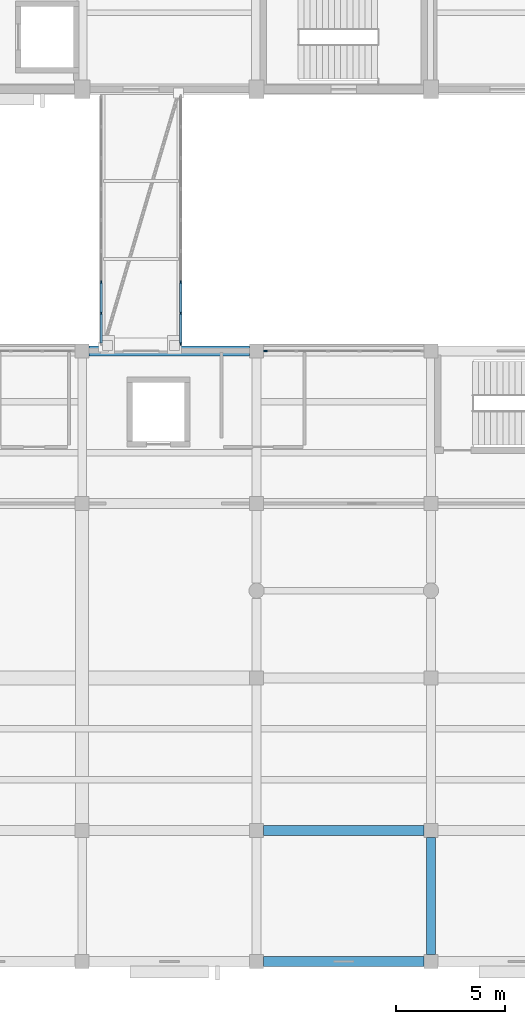
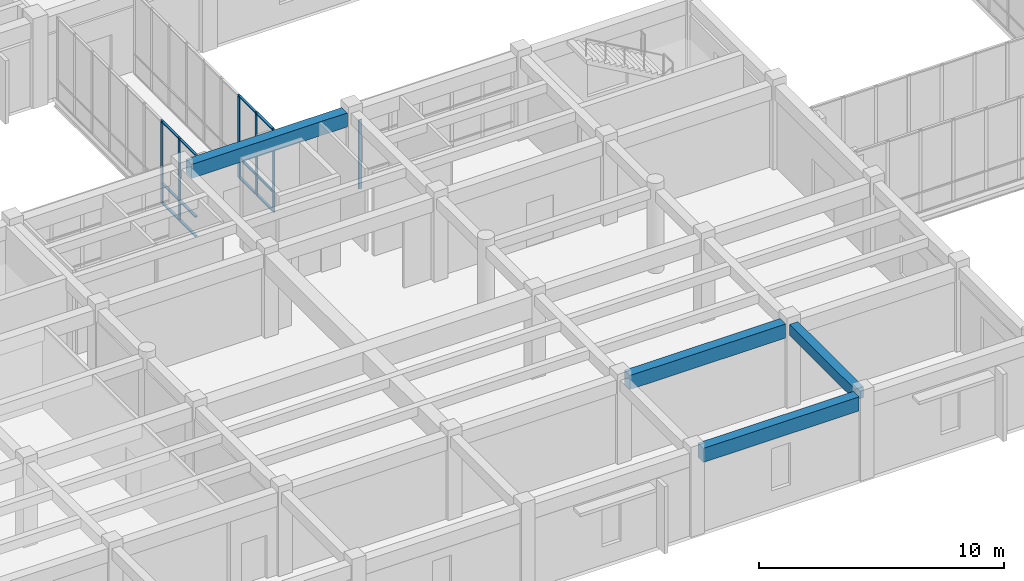
# One storey, part 18 of 70: 18 members, 4 beams, 3 elements without a shape of their own.
"""IFC4 building model written with IfcOpenShell, lengths in metres."""

from ifc_helpers import new_model, si_unit, direction, frame, origin, origin_2d, place, context, subcontext, project, spatial, rectangle, extrude, material, layer, layer_set, material_profile, profile_set, type_object, element, aggregate, save


model = new_model("IFC4")

# Units and contexts
model_context = context("Model", 3, precision=1e-05, world=origin(), true_north=direction((0.0, 1.0)))
body_context = subcontext(model_context, "Body", "Model", "MODEL_VIEW")
ifc_project = project(units=[si_unit("LENGTHUNIT", "METRE"), si_unit("AREAUNIT", "SQUARE_METRE"), si_unit("VOLUMEUNIT", "CUBIC_METRE"), si_unit("PLANEANGLEUNIT", "RADIAN"), si_unit("MASSUNIT", "GRAM", prefix="KILO")], contexts=[model_context])

# Site, building, storey
site_placement = place(None, origin())
site = spatial("IfcSite", under=ifc_project, at=site_placement, CompositionType="ELEMENT")
building_placement = place(site_placement, origin())
building = spatial("IfcBuilding", under=site, at=building_placement, Name="Naurynzar Civic Courthouse", CompositionType="ELEMENT")
storey_placement = place(building_placement, frame((0.0, 0.0, 5.39990234375)))
storey = spatial("IfcBuildingStorey", under=building, at=storey_placement, Name="L02", CompositionType="ELEMENT", Elevation=5.39990234375)

# Beams
ifc_material_1 = material(Name="Concrete C40/50", Category="concrete")
ifc_material_profile_1 = material_profile(ifc_material_1, rectangle(XDim=0.39990234375, YDim=0.550048828125, at=origin_2d()), Name="RCB 400x550")
ifc_profile_set_1 = profile_set([ifc_material_profile_1], Name="Concrete C40/50")
beam_type_1 = type_object("IfcBeamType", Name="BM-RC-400x550", PredefinedType="BEAM", material=ifc_profile_set_1)
beam_placement = place(storey_placement, frame((109.0, 4.324951171875, 3.885009765625), z_axis=(0.0, 1.0, 0.0), x_axis=(-1.0, 0.0, 0.0)))
element("IfcBeam", 1, at=beam_placement, inside=storey, type_object=beam_type_1, Name="V3 girder Y-1391 L02", PredefinedType="BEAM", context=body_context, shape_type="SweptSolid", body=[
    extrude(rectangle(XDim=0.39990234375, YDim=0.550048828125, at=origin_2d()), origin(), (0.0, 0.0, 1.0), 5.35009765625),
])
ifc_material_2 = material(Name="Concrete C40/50", Category="concrete")
ifc_material_profile_2 = material_profile(ifc_material_2, rectangle(XDim=0.449951171875, YDim=0.699951171875, at=origin_2d()), Name="RCB 450x700")
ifc_profile_set_2 = profile_set([ifc_material_profile_2], Name="Concrete C40/50")
beam_type_2 = type_object("IfcBeamType", Name="BM-RC-450x700", PredefinedType="BEAM", material=ifc_profile_set_2)
for number, where, z_axis, x_axis, name in (
    (2, (101.324951171875, 4.0, 3.81005859375), (1.0, 0.0, 0.0), (0.0, 1.0, 0.0), "V3 beam X-1344 L02"),
    (3, (101.324951171875, 10.0, 3.81005859375), (1.0, 0.0, 0.0), (0.0, 1.0, 0.0), "V3 beam X-1350 L02"),
    (4, (93.324951171875, 32.0, 3.81005859375), (1.0, 0.0, 0.0), (0.0, 1.0, 0.0), "V3 beam X-1366 L02"),
):
    element("IfcBeam", number, at=place(storey_placement, frame(where, z_axis=z_axis, x_axis=x_axis)), inside=storey, type_object=beam_type_2, Name=name, PredefinedType="BEAM", context=body_context, shape_type="SweptSolid", body=[
        extrude(rectangle(XDim=0.449951171875, YDim=0.699951171875, at=origin_2d()), origin(), (0.0, 0.0, 1.0), 7.35009765625),
    ])

# Curtain wall, member
ifc_material_3 = material(Name="Aluminium 6063-T6", Category="aluminium")
ifc_layer_1 = layer(ifc_material_3, 0.179931640625)
ifc_layer_set_1 = layer_set([ifc_layer_1], Name="CW-UNIT-1500")
curtain_wall_type_1 = type_object("IfcCurtainWallType", Name="CW-UNIT-1500", PredefinedType="NOTDEFINED", material=ifc_layer_set_1)
curtain_wall_1_placement = place(storey_placement, origin())
curtain_wall_1 = element("IfcCurtainWall", 5, at=curtain_wall_1_placement, inside=storey, type_object=curtain_wall_type_1, Name="V3 unitised curtain wall 66 L02", PredefinedType="NOTDEFINED")
ifc_material_4 = material(Name="Aluminium 6063-T6", Category="aluminium")
ifc_material_profile_3 = material_profile(ifc_material_4, rectangle(XDim=0.06005859375, YDim=0.14990234375, at=origin_2d()), Name="ALU MULLION 60x150")
ifc_profile_set_3 = profile_set([ifc_material_profile_3], Name="Aluminium 6063-T6")
member_type_1 = type_object("IfcMemberType", Name="CWM-60x150", PredefinedType="MULLION", material=ifc_profile_set_3)
member_1_placement = place(storey_placement, frame((101.405029296875, 32.0, 0.0), z_axis=(0.0, 0.0, 1.0), x_axis=(0.0, 1.0, 0.0)))
member_1 = element("IfcMember", 6, at=member_1_placement, type_object=member_type_1, Name="CW-01 mullion 1", PredefinedType="MULLION", context=body_context, shape_type="SweptSolid", body=[
    extrude(rectangle(XDim=0.06005859375, YDim=0.14990234375, at=origin_2d()), origin(), (0.0, 0.0, 1.0), 3.440185546875),
])
aggregate(curtain_wall_1, [member_1])

# Curtain wall, members
ifc_material_5 = material(Name="Aluminium 6063-T6", Category="aluminium")
ifc_layer_2 = layer(ifc_material_5, 0.14990234375)
ifc_layer_set_2 = layer_set([ifc_layer_2], Name="CW-BRIDGE-1500")
curtain_wall_type_2 = type_object("IfcCurtainWallType", Name="CW-BRIDGE-1500", PredefinedType="USERDEFINED", material=ifc_layer_set_2)
curtain_wall_2_placement = place(storey_placement, origin())
curtain_wall_2 = element("IfcCurtainWall", 7, at=curtain_wall_2_placement, inside=storey, type_object=curtain_wall_type_2, Name="BR-C1 glazed bridge screen L02.1", ObjectType="GLAZED BRIDGE SCREEN", PredefinedType="USERDEFINED")
member_2_placement = place(storey_placement, frame((93.8798828125, 35.14990234375, 0.0), z_axis=(0.0, 0.0, 1.0), x_axis=(1.0, 0.0, 0.0)))
member_2 = element("IfcMember", 8, at=member_2_placement, type_object=member_type_1, Name="CW-03 mullion 7", PredefinedType="MULLION", context=body_context, shape_type="SweptSolid", body=[
    extrude(rectangle(XDim=0.06005859375, YDim=0.14990234375, at=origin_2d()), origin(), (0.0, 0.0, 1.0), 4.1201171875),
])
member_3_placement = place(storey_placement, frame((93.8798828125, 33.72509765625, 0.0), z_axis=(0.0, 0.0, 1.0), x_axis=(1.0, 0.0, 0.0)))
member_3 = element("IfcMember", 9, at=member_3_placement, type_object=member_type_1, Name="CW-03 mullion 8", PredefinedType="MULLION", context=body_context, shape_type="SweptSolid", body=[
    extrude(rectangle(XDim=0.06005859375, YDim=0.14990234375, at=origin_2d()), origin(), (0.0, 0.0, 1.0), 4.1201171875),
])

curtain_wall_3_placement = place(storey_placement, origin())
curtain_wall_3 = element("IfcCurtainWall", 10, at=curtain_wall_3_placement, inside=storey, type_object=curtain_wall_type_2, Name="BR-C1 glazed bridge screen L02.2", ObjectType="GLAZED BRIDGE SCREEN", PredefinedType="USERDEFINED")
member_4_placement = place(storey_placement, frame((97.52001953125, 32.330078125, 0.0), z_axis=(0.0, 0.0, 1.0), x_axis=(-1.0, 0.0, 0.0)))
member_4 = element("IfcMember", 11, at=member_4_placement, type_object=member_type_1, Name="CW-03 mullion 1", PredefinedType="MULLION", context=body_context, shape_type="SweptSolid", body=[
    extrude(rectangle(XDim=0.06005859375, YDim=0.14990234375, at=origin_2d()), origin(), (0.0, 0.0, 1.0), 4.1201171875),
])
member_5_placement = place(storey_placement, frame((97.52001953125, 33.72509765625, 0.0), z_axis=(0.0, 0.0, 1.0), x_axis=(-1.0, 0.0, 0.0)))
member_5 = element("IfcMember", 12, at=member_5_placement, type_object=member_type_1, Name="CW-03 mullion 2", PredefinedType="MULLION", context=body_context, shape_type="SweptSolid", body=[
    extrude(rectangle(XDim=0.06005859375, YDim=0.14990234375, at=origin_2d()), origin(), (0.0, 0.0, 1.0), 4.1201171875),
])
member_6_placement = place(storey_placement, frame((97.52001953125, 35.14990234375, 0.0), z_axis=(0.0, 0.0, 1.0), x_axis=(-1.0, 0.0, 0.0)))
member_6 = element("IfcMember", 13, at=member_6_placement, type_object=member_type_1, Name="CW-03 mullion 3", PredefinedType="MULLION", context=body_context, shape_type="SweptSolid", body=[
    extrude(rectangle(XDim=0.06005859375, YDim=0.14990234375, at=origin_2d()), origin(), (0.0, 0.0, 1.0), 4.1201171875),
])

# Member
ifc_material_6 = material(Name="Aluminium 6063-T6", Category="aluminium")
ifc_material_profile_4 = material_profile(ifc_material_6, rectangle(XDim=0.110107421875, YDim=0.06005859375, at=origin_2d()), Name="ALU TRANSOM 60x110")
ifc_profile_set_4 = profile_set([ifc_material_profile_4], Name="Aluminium 6063-T6")
member_type_2 = type_object("IfcMemberType", Name="CWT-60x110", PredefinedType="USERDEFINED", material=ifc_profile_set_4)
member_7_placement = place(storey_placement, frame((93.8798828125, 35.1201171875, 0.030029296875), z_axis=(0.0, -1.0, 0.0), x_axis=(1.0, 0.0, 0.0)))
member_7 = element("IfcMember", 14, at=member_7_placement, type_object=member_type_2, Name="CW-03 transom 7.1", ObjectType="TRANSOM", PredefinedType="USERDEFINED", context=body_context, shape_type="SweptSolid", body=[
    extrude(rectangle(XDim=0.110107421875, YDim=0.06005859375, at=origin_2d()), origin(), (0.0, 0.0, 1.0), 1.365234375),
])

member_8_placement = place(storey_placement, frame((93.8798828125, 35.1201171875, 1.0), z_axis=(0.0, -1.0, 0.0), x_axis=(1.0, 0.0, 0.0)))
member_8 = element("IfcMember", 15, at=member_8_placement, type_object=member_type_2, Name="CW-03 transom 7.2", ObjectType="TRANSOM", PredefinedType="USERDEFINED", context=body_context, shape_type="SweptSolid", body=[
    extrude(rectangle(XDim=0.110107421875, YDim=0.06005859375, at=origin_2d()), origin(), (0.0, 0.0, 1.0), 1.365234375),
])

member_9_placement = place(storey_placement, frame((93.8798828125, 35.1201171875, 4.090087890625), z_axis=(0.0, -1.0, 0.0), x_axis=(1.0, 0.0, 0.0)))
member_9 = element("IfcMember", 16, at=member_9_placement, type_object=member_type_2, Name="CW-03 transom 7.3", ObjectType="TRANSOM", PredefinedType="USERDEFINED", context=body_context, shape_type="SweptSolid", body=[
    extrude(rectangle(XDim=0.110107421875, YDim=0.06005859375, at=origin_2d()), origin(), (0.0, 0.0, 1.0), 1.365234375),
])

member_10_placement = place(storey_placement, frame((93.8798828125, 33.695068359375, 0.030029296875), z_axis=(0.0, -1.0, 0.0), x_axis=(1.0, 0.0, 0.0)))
member_10 = element("IfcMember", 17, at=member_10_placement, type_object=member_type_2, Name="CW-03 transom 8.1", ObjectType="TRANSOM", PredefinedType="USERDEFINED", context=body_context, shape_type="SweptSolid", body=[
    extrude(rectangle(XDim=0.110107421875, YDim=0.06005859375, at=origin_2d()), origin(), (0.0, 0.0, 1.0), 1.3349609375),
])

member_11_placement = place(storey_placement, frame((93.8798828125, 33.695068359375, 1.0), z_axis=(0.0, -1.0, 0.0), x_axis=(1.0, 0.0, 0.0)))
member_11 = element("IfcMember", 18, at=member_11_placement, type_object=member_type_2, Name="CW-03 transom 8.2", ObjectType="TRANSOM", PredefinedType="USERDEFINED", context=body_context, shape_type="SweptSolid", body=[
    extrude(rectangle(XDim=0.110107421875, YDim=0.06005859375, at=origin_2d()), origin(), (0.0, 0.0, 1.0), 1.3349609375),
])

member_12_placement = place(storey_placement, frame((93.8798828125, 33.695068359375, 4.090087890625), z_axis=(0.0, -1.0, 0.0), x_axis=(1.0, 0.0, 0.0)))
member_12 = element("IfcMember", 19, at=member_12_placement, type_object=member_type_2, Name="CW-03 transom 8.3", ObjectType="TRANSOM", PredefinedType="USERDEFINED", context=body_context, shape_type="SweptSolid", body=[
    extrude(rectangle(XDim=0.110107421875, YDim=0.06005859375, at=origin_2d()), origin(), (0.0, 0.0, 1.0), 1.3349609375),
])

aggregate(curtain_wall_2, [member_2, member_3, member_7, member_8, member_9, member_10, member_11, member_12])

member_13_placement = place(storey_placement, frame((97.52001953125, 32.360107421875, 0.030029296875), z_axis=(0.0, 1.0, 0.0), x_axis=(-1.0, 0.0, 0.0)))
member_13 = element("IfcMember", 20, at=member_13_placement, type_object=member_type_2, Name="CW-03 transom 1.1", ObjectType="TRANSOM", PredefinedType="USERDEFINED", context=body_context, shape_type="SweptSolid", body=[
    extrude(rectangle(XDim=0.110107421875, YDim=0.06005859375, at=origin_2d()), origin(), (0.0, 0.0, 1.0), 1.3349609375),
])

member_14_placement = place(storey_placement, frame((97.52001953125, 32.360107421875, 1.0), z_axis=(0.0, 1.0, 0.0), x_axis=(-1.0, 0.0, 0.0)))
member_14 = element("IfcMember", 21, at=member_14_placement, type_object=member_type_2, Name="CW-03 transom 1.2", ObjectType="TRANSOM", PredefinedType="USERDEFINED", context=body_context, shape_type="SweptSolid", body=[
    extrude(rectangle(XDim=0.110107421875, YDim=0.06005859375, at=origin_2d()), origin(), (0.0, 0.0, 1.0), 1.3349609375),
])

member_15_placement = place(storey_placement, frame((97.52001953125, 32.360107421875, 4.090087890625), z_axis=(0.0, 1.0, 0.0), x_axis=(-1.0, 0.0, 0.0)))
member_15 = element("IfcMember", 22, at=member_15_placement, type_object=member_type_2, Name="CW-03 transom 1.3", ObjectType="TRANSOM", PredefinedType="USERDEFINED", context=body_context, shape_type="SweptSolid", body=[
    extrude(rectangle(XDim=0.110107421875, YDim=0.06005859375, at=origin_2d()), origin(), (0.0, 0.0, 1.0), 1.3349609375),
])

member_16_placement = place(storey_placement, frame((97.52001953125, 33.7548828125, 0.030029296875), z_axis=(0.0, 1.0, 0.0), x_axis=(-1.0, 0.0, 0.0)))
member_16 = element("IfcMember", 23, at=member_16_placement, type_object=member_type_2, Name="CW-03 transom 2.1", ObjectType="TRANSOM", PredefinedType="USERDEFINED", context=body_context, shape_type="SweptSolid", body=[
    extrude(rectangle(XDim=0.110107421875, YDim=0.06005859375, at=origin_2d()), origin(), (0.0, 0.0, 1.0), 1.365234375),
])

member_17_placement = place(storey_placement, frame((97.52001953125, 33.7548828125, 1.0), z_axis=(0.0, 1.0, 0.0), x_axis=(-1.0, 0.0, 0.0)))
member_17 = element("IfcMember", 24, at=member_17_placement, type_object=member_type_2, Name="CW-03 transom 2.2", ObjectType="TRANSOM", PredefinedType="USERDEFINED", context=body_context, shape_type="SweptSolid", body=[
    extrude(rectangle(XDim=0.110107421875, YDim=0.06005859375, at=origin_2d()), origin(), (0.0, 0.0, 1.0), 1.365234375),
])

member_18_placement = place(storey_placement, frame((97.52001953125, 33.7548828125, 4.090087890625), z_axis=(0.0, 1.0, 0.0), x_axis=(-1.0, 0.0, 0.0)))
member_18 = element("IfcMember", 25, at=member_18_placement, type_object=member_type_2, Name="CW-03 transom 2.3", ObjectType="TRANSOM", PredefinedType="USERDEFINED", context=body_context, shape_type="SweptSolid", body=[
    extrude(rectangle(XDim=0.110107421875, YDim=0.06005859375, at=origin_2d()), origin(), (0.0, 0.0, 1.0), 1.365234375),
])

aggregate(curtain_wall_3, [member_4, member_5, member_6, member_13, member_14, member_15, member_16, member_17, member_18])

save(model, "model.ifc")
